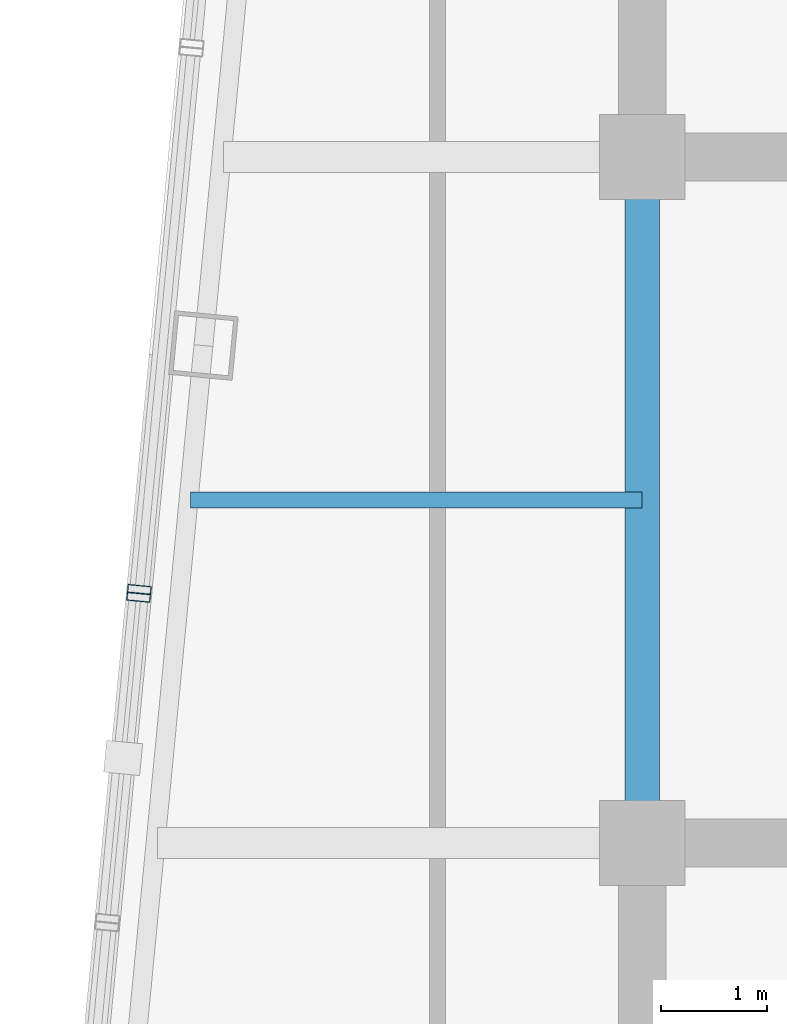
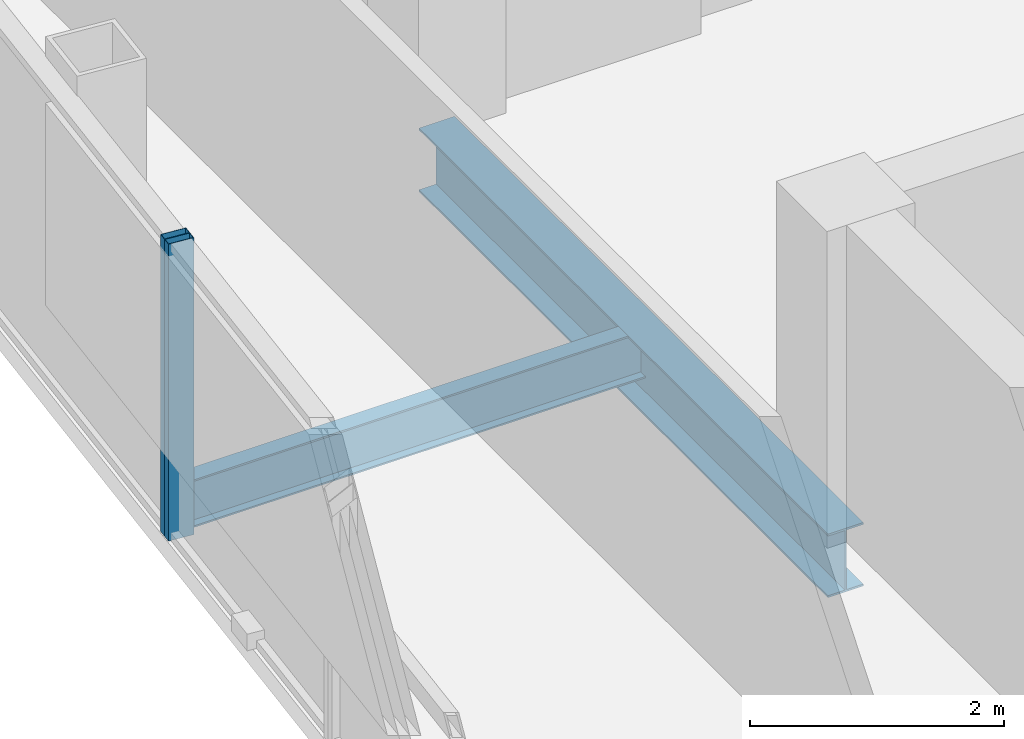
# One storey, part 9 of 26: 2 beams, 2 members, 2 elements without a shape of their own.
"""IFC4 building model written with IfcOpenShell, lengths in metres."""

from ifc_helpers import new_model, si_unit, direction, frame, origin, origin_2d, place, context, subcontext, project, spatial, hollow_rectangle, i_section, extrude, material, layer, layer_set, material_profile, profile_set, type_object, element, aggregate, save


model = new_model("IFC4")

# Units and contexts
model_context = context("Model", 3, precision=1e-05, world=origin(), true_north=direction((0.0, 1.0)))
body_context = subcontext(model_context, "Body", "Model", "MODEL_VIEW")
ifc_project = project(units=[si_unit("LENGTHUNIT", "METRE"), si_unit("AREAUNIT", "SQUARE_METRE"), si_unit("VOLUMEUNIT", "CUBIC_METRE"), si_unit("PLANEANGLEUNIT", "RADIAN"), si_unit("MASSUNIT", "GRAM", prefix="KILO")], contexts=[model_context])

# Site, building, storey
site_placement = place(None, origin())
site = spatial("IfcSite", under=ifc_project, at=site_placement, CompositionType="ELEMENT")
building_placement = place(site_placement, origin())
building = spatial("IfcBuilding", under=site, at=building_placement, Name="Qhalaya Broadcast Tower", CompositionType="ELEMENT")
storey_placement = place(building_placement, frame((0.0, 0.0, 248.949951171875)))
storey = spatial("IfcBuildingStorey", under=building, at=storey_placement, Name="L73", CompositionType="ELEMENT", Elevation=248.949951171875)

# Beams
ifc_material_1 = material(Name="Structural Steel ASTM A992 Grade 50", Category="steel")
ifc_material_profile_1 = material_profile(ifc_material_1, i_section(OverallWidth=0.154052734375, OverallDepth=0.458984375, WebThickness=0.009033203125, FlangeThickness=0.015380859375, at=origin_2d()), Name="W18X46")
ifc_profile_set_1 = profile_set([ifc_material_profile_1], Name="Structural Steel ASTM A992 Grade 50")
beam_type_1 = type_object("IfcBeamType", Name="Composite Floor Joist J04", PredefinedType="JOIST", material=ifc_profile_set_1)
beam_1_placement = place(storey_placement, frame((-13.622314453125, 0.60009765625, -0.41943359375), z_axis=(1.0, 0.0, 0.0), x_axis=(0.0, 1.0, 0.0)))
element("IfcBeam", 1, at=beam_1_placement, inside=storey, type_object=beam_type_1, Name="L73 J04 L73-JWE4W-1", PredefinedType="JOIST", context=body_context, shape_type="SweptSolid", body=[
    extrude(i_section(OverallWidth=0.154052734375, OverallDepth=0.458984375, WebThickness=0.009033203125, FlangeThickness=0.015380859375, at=origin_2d()), origin(), (0.0, 0.0, 1.0), 4.247314453125),
])
ifc_material_profile_2 = material_profile(ifc_material_1, i_section(OverallWidth=0.323974609375, OverallDepth=0.612060546875, WebThickness=0.0126953125, FlangeThickness=0.01904296875, at=origin_2d()), Name="W24X104")
ifc_profile_set_2 = profile_set([ifc_material_profile_2], Name="Structural Steel ASTM A992 Grade 50")
beam_type_2 = type_object("IfcBeamType", Name="Core Frame Tie Beam B04", PredefinedType="BEAM", material=ifc_profile_set_2)
beam_2_placement = place(storey_placement, frame((-9.375, -2.625, -0.495849609375), z_axis=(0.0, 1.0, 0.0), x_axis=(-1.0, 0.0, 0.0)))
element("IfcBeam", 2, at=beam_2_placement, inside=storey, type_object=beam_type_2, Name="L73 B04 L73-CCW", PredefinedType="BEAM", context=body_context, shape_type="SweptSolid", body=[
    extrude(i_section(OverallWidth=0.323974609375, OverallDepth=0.612060546875, WebThickness=0.0126953125, FlangeThickness=0.01904296875, at=origin_2d()), origin(), (0.0, 0.0, 1.0), 6.449951171875),
])

# Curtain wall, member
ifc_material_2 = material(Name="Fired Architectural Terracotta", Category="masonry")
ifc_layer_1 = layer(ifc_material_2, 0.219970703125, Name="Fired Architectural Terracotta")
ifc_layer_set_1 = layer_set([ifc_layer_1], Name="Fired Architectural Terracotta")
curtain_wall_type_1 = type_object("IfcCurtainWallType", Name="Block-Cap Unitised Terracotta Spandrel Wall CW-07", PredefinedType="NOTDEFINED", material=ifc_layer_set_1)
curtain_wall_1_placement = place(storey_placement, origin())
curtain_wall_1 = element("IfcCurtainWall", 3, at=curtain_wall_1_placement, inside=storey, type_object=curtain_wall_type_1, Name="L73 Unitised Curtain Wall L73-CW-W3", PredefinedType="NOTDEFINED")
ifc_material_3 = material(Name="Anodised Aluminium 6063-T6", Category="aluminium")
ifc_material_profile_3 = material_profile(ifc_material_3, hollow_rectangle(XDim=0.074951171875, YDim=0.219970703125, WallThickness=0.00390625, at=origin_2d()), Name="ALU-MUL 75x220x4")
ifc_profile_set_3 = profile_set([ifc_material_profile_3], Name="Anodised Aluminium 6063-T6")
member_type = type_object("IfcMemberType", Name="Unitised Curtain-Wall Mullion M01", PredefinedType="MULLION", material=ifc_profile_set_3)
member_1_placement = place(storey_placement, frame((-14.105224609375, -0.240966796875, 0.0), z_axis=(0.0, 0.0, 1.0), x_axis=(-0.095851335452, -0.995395660776, 0.0)))
member_1 = element("IfcMember", 4, at=member_1_placement, type_object=member_type, Name="CW-07 mullion 2", PredefinedType="MULLION", context=body_context, shape_type="SweptSolid", body=[
    extrude(hollow_rectangle(XDim=0.074951171875, YDim=0.219970703125, WallThickness=0.00390625, at=origin_2d()), origin(), (0.0, 0.0, 1.0), 2.860107421875),
])
aggregate(curtain_wall_1, [member_1])

ifc_material_4 = material(Name="Solar-Control Low-E Triple Glazing", Category="glass")
ifc_layer_2 = layer(ifc_material_4, 0.219970703125, Name="Solar-Control Low-E Triple Glazing")
ifc_layer_set_2 = layer_set([ifc_layer_2], Name="Solar-Control Low-E Triple Glazing")
curtain_wall_type_2 = type_object("IfcCurtainWallType", Name="High-Altitude Upper-Shaft Triple Low-E Curtain Wall CW-04", PredefinedType="NOTDEFINED", material=ifc_layer_set_2)
curtain_wall_2_placement = place(storey_placement, origin())
curtain_wall_2 = element("IfcCurtainWall", 5, at=curtain_wall_2_placement, inside=storey, type_object=curtain_wall_type_2, Name="L73 Unitised Curtain Wall L73-CW-W4", PredefinedType="NOTDEFINED")
member_2_placement = place(storey_placement, frame((-14.1123046875, -0.315673828125, 0.0), z_axis=(0.0, 0.0, 1.0), x_axis=(-0.095819626155, -0.995398713704, 0.0)))
member_2 = element("IfcMember", 6, at=member_2_placement, type_object=member_type, Name="CW-04 mullion 1", PredefinedType="MULLION", context=body_context, shape_type="SweptSolid", body=[
    extrude(hollow_rectangle(XDim=0.074951171875, YDim=0.219970703125, WallThickness=0.00390625, at=origin_2d()), origin(), (0.0, 0.0, 1.0), 2.860107421875),
])
aggregate(curtain_wall_2, [member_2])

save(model, "model.ifc")
